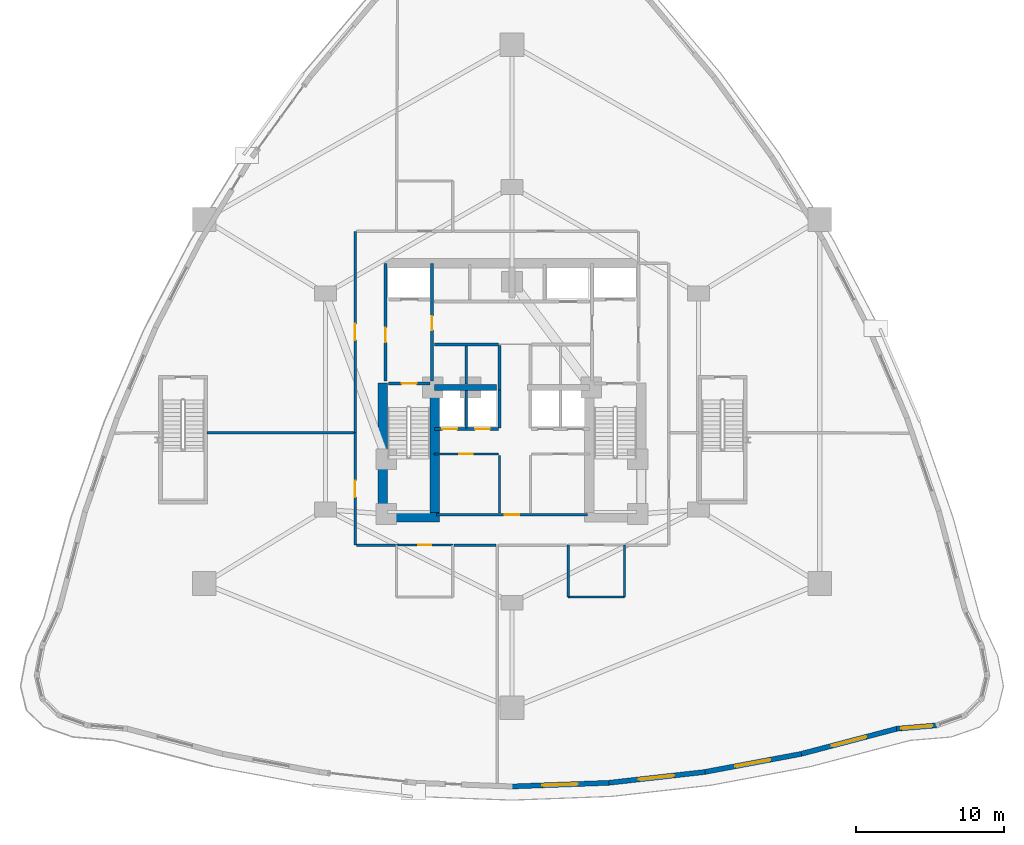
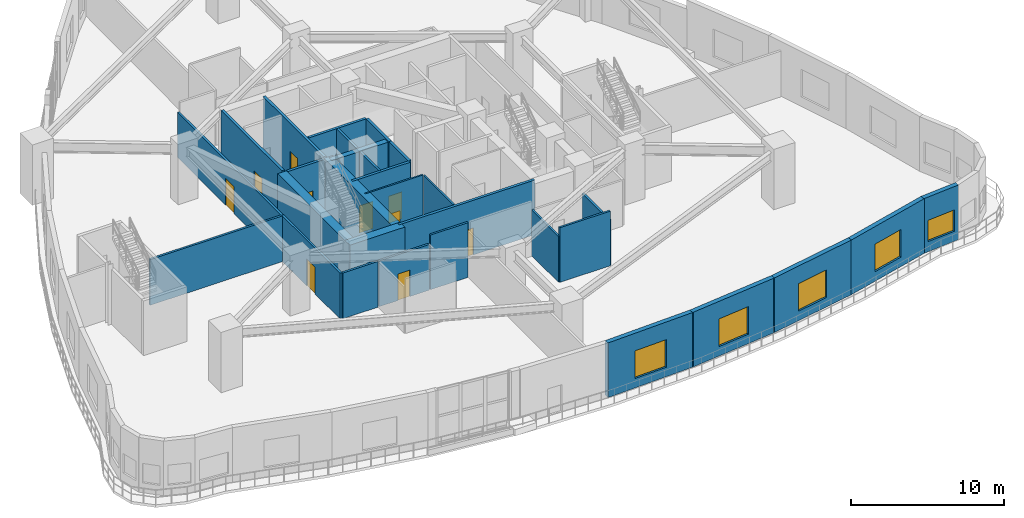
# One storey, part 12 of 19: 30 walls, 10 doors, 5 windows, 15 openings.
"""IFC4 building model written with IfcOpenShell, lengths in metres."""

import ifcopenshell
import ifcopenshell.guid

model = None  # the IFC model being written
_history = None  # IfcOwnerHistory: only IFC2X3 demands one
_inside = {}  # id of a spatial element -> (the spatial element, [elements in it])
_under = {}  # id of a project, library or spatial element -> (it, [spatial elements below it])
_declared = {}  # id of a project -> (the project, [libraries it declares])
_typed = {}  # id of a type object -> (the type object, [elements of that type])
_made_of = {}  # id of a material, layer set ... -> (it, [elements and type objects made of it])


def new_model(schema):
    """Start an empty IFC model of exactly this schema.

    Asked for "IFC4X3", IfcOpenShell would pick the latest addendum, in which some entities
    have other attributes; the version numbers below select the first issue.
    IFC2X3 requires an IfcOwnerHistory on every rooted entity: one is made here for all.
    """
    global model, _history
    if schema == "IFC4X3":
        model = ifcopenshell.file(schema_version=(4, 3, 0, 0))
    else:
        model = ifcopenshell.file(schema=schema)
    _inside.clear()
    _under.clear()
    _declared.clear()
    _typed.clear()
    _made_of.clear()
    _history = None
    if model.schema == "IFC2X3":
        org = make("IfcOrganization", Name="unknown")
        user = make(
            "IfcPersonAndOrganization",
            ThePerson=make("IfcPerson", FamilyName="unknown"),
            TheOrganization=org,
        )
        app = make(
            "IfcApplication",
            ApplicationDeveloper=org,
            Version="unknown",
            ApplicationFullName="unknown",
            ApplicationIdentifier="unknown",
        )
        _history = make(
            "IfcOwnerHistory",
            OwningUser=user,
            OwningApplication=app,
            ChangeAction="ADDED",
            CreationDate=0,
        )
    return model


def make(cls, **values):
    """One entity of the class cls with the attributes given. An attribute that is None is left unset."""
    return model.create_entity(
        cls, **{name: value for name, value in values.items() if value is not None}
    )


def rooted(cls, **values):
    """An entity with a GlobalId (a new one), such as an element, a storey or a relation."""
    return make(cls, GlobalId=ifcopenshell.guid.new(), OwnerHistory=_history, **values)


def si_unit(unit_type, name, prefix=None):
    """IfcSIUnit, for example si_unit("LENGTHUNIT", "METRE", prefix="MILLI")."""
    return make("IfcSIUnit", UnitType=unit_type, Prefix=prefix, Name=name)


def assignment(units):
    """IfcUnitAssignment: the units of a project."""
    return None if units is None else make("IfcUnitAssignment", Units=units)


def point(xyz):
    """IfcCartesianPoint."""
    return None if xyz is None else make("IfcCartesianPoint", Coordinates=xyz)


def direction(xyz):
    """IfcDirection."""
    return None if xyz is None else make("IfcDirection", DirectionRatios=xyz)


def frame(location, z_axis=None, x_axis=None):
    """IfcAxis2Placement3D, a coordinate frame: its origin and axes. An axis left out is left unset."""
    return make(
        "IfcAxis2Placement3D",
        Location=point(location),
        Axis=direction(z_axis),
        RefDirection=direction(x_axis),
    )


def frame_2d(location, x_axis=None):
    """IfcAxis2Placement2D, a coordinate frame in the plane: its origin and x axis."""
    return make(
        "IfcAxis2Placement2D", Location=point(location), RefDirection=direction(x_axis)
    )


def origin():
    """The frame at (0, 0, 0) with its axes left unset."""
    return frame((0.0, 0.0, 0.0))


def place(relative_to, where):
    """IfcLocalPlacement: puts the frame where relative to a parent placement (None: the world)."""
    return make(
        "IfcLocalPlacement", PlacementRelTo=relative_to, RelativePlacement=where
    )


def context(
    kind, dimensions, precision=None, world=None, true_north=None, identifier=None
):
    """IfcGeometricRepresentationContext, for example the 3D "Model" context."""
    return make(
        "IfcGeometricRepresentationContext",
        ContextIdentifier=identifier,
        ContextType=kind,
        CoordinateSpaceDimension=dimensions,
        Precision=precision,
        WorldCoordinateSystem=world,
        TrueNorth=true_north,
    )


def subcontext(parent, identifier, kind, view, scale=None):
    """IfcGeometricRepresentationSubContext, for example "Body" below "Model"."""
    return make(
        "IfcGeometricRepresentationSubContext",
        ContextIdentifier=identifier,
        ContextType=kind,
        ParentContext=parent,
        TargetScale=scale,
        TargetView=view,
    )


def project(units=None, contexts=None):
    """IfcProject with its units and contexts."""
    return rooted(
        "IfcProject",
        Name="project",
        RepresentationContexts=contexts,
        UnitsInContext=assignment(units),
    )


def spatial(cls, under=None, at=None, **own):
    """A site, building, storey or space (cls), placed at a placement, below another one or the project."""
    s = rooted(cls, ObjectPlacement=at, **own)
    if under is not None:
        _under.setdefault(under.id(), (under, []))[1].append(s)
    return s


def profile(cls, at=None, kind="AREA", **sizes):
    """A parametric profile (cls). Its sizes go by their IFC names, for example OverallWidth=200.0."""
    return make(cls, ProfileType=kind, Position=at, **sizes)


def rectangle(**sizes):
    """IfcRectangleProfileDef."""
    return profile("IfcRectangleProfileDef", **sizes)


def extrude(swept, where, along, depth):
    """IfcExtrudedAreaSolid: the profile swept, set in the frame where, extruded along a direction by depth."""
    return make(
        "IfcExtrudedAreaSolid",
        SweptArea=swept,
        Position=where,
        ExtrudedDirection=direction(along),
        Depth=depth,
    )


def shape(context_of_items, identifier, shape_type, items):
    """IfcShapeRepresentation: the items that make up one representation, for example the "Body"."""
    return make(
        "IfcShapeRepresentation",
        ContextOfItems=context_of_items,
        RepresentationIdentifier=identifier,
        RepresentationType=shape_type,
        Items=items,
    )


def material(Name=None, Category=None):
    """IfcMaterial."""
    return make("IfcMaterial", Name=Name, Category=Category)


def layer(
    of_material, thickness, ventilated=None, Name=None, Category=None, Priority=None
):
    """IfcMaterialLayer: one layer of a wall or slab, of a material (None: an air gap)."""
    return make(
        "IfcMaterialLayer",
        Material=of_material,
        LayerThickness=thickness,
        IsVentilated=ventilated,
        Name=Name,
        Category=Category,
        Priority=Priority,
    )


def layer_set(layers, Name=None):
    """IfcMaterialLayerSet."""
    return make("IfcMaterialLayerSet", MaterialLayers=layers, LayerSetName=Name)


def made_of(thing, what):
    """Note that an element or type object is made of a material, layer set ...; save() writes the relation."""
    if what is not None:
        _made_of.setdefault(what.id(), (what, []))[1].append(thing)
    return thing


def type_object(cls, material=None, **own):
    """A type object (cls), such as IfcWallType, which elements share."""
    return made_of(rooted(cls, **own), material)


def element(
    cls,
    number,
    at=None,
    inside=None,
    cuts=None,
    type_object=None,
    material=None,
    context=None,
    identifier="Body",
    shape_type=None,
    held_by="IfcProductDefinitionShape",
    body=None,
    shapes=None,
    **own,
):
    """One element of the class cls, such as IfcWall. Its Tag is "e" and its number.

    at: its placement. inside: the storey or other place that contains it. cuts: it is an
    opening in that element (IfcRelVoidsElement). A single representation is given by context,
    identifier, shape_type and body (its items); several are given by shapes. held_by: the class
    of the entity that holds the representations. save() writes the other relations.
    """
    e = rooted(cls, Tag="e%d" % number, ObjectPlacement=at, **own)
    if body is not None:
        shapes = [shape(context, identifier, shape_type, body)]
    if shapes is not None:
        e.Representation = make(held_by, Representations=shapes)
    if inside is not None:
        _inside.setdefault(inside.id(), (inside, []))[1].append(e)
    if cuts is not None:
        rooted(
            "IfcRelVoidsElement", RelatingBuildingElement=cuts, RelatedOpeningElement=e
        )
    if type_object is not None:
        _typed.setdefault(type_object.id(), (type_object, []))[1].append(e)
    return made_of(e, material)


def fill(opening, filler):
    """IfcRelFillsElement: the door or window that sits in an opening."""
    return rooted(
        "IfcRelFillsElement",
        RelatingOpeningElement=opening,
        RelatedBuildingElement=filler,
    )


def aggregate(whole, parts):
    """IfcRelAggregates: a whole, such as a stair, and the parts it consists of."""
    return rooted("IfcRelAggregates", RelatingObject=whole, RelatedObjects=parts)


def save(model, path):
    """Write the relations noted so far, then the file.

    IfcRelAggregates (storeys below a building ...), IfcRelContainedInSpatialStructure (elements
    in a storey), IfcRelDefinesByType, IfcRelAssociatesMaterial and IfcRelDeclares: one each for
    every whole, place, type object, material and project.
    """
    for whole, parts in _under.values():
        aggregate(whole, parts)
    for where, things in _inside.values():
        rooted(
            "IfcRelContainedInSpatialStructure",
            RelatedElements=things,
            RelatingStructure=where,
        )
    for kind, things in _typed.values():
        rooted("IfcRelDefinesByType", RelatedObjects=things, RelatingType=kind)
    for what, things in _made_of.values():
        rooted("IfcRelAssociatesMaterial", RelatedObjects=things, RelatingMaterial=what)
    for by, libraries in _declared.values():
        rooted("IfcRelDeclares", RelatingContext=by, RelatedDefinitions=libraries)
    model.write(path)


model = new_model("IFC4")

# Units and contexts
model_context = context("Model", 3, precision=1e-05, world=origin(), true_north=direction((0.0, 1.0)))
body_context = subcontext(model_context, "Body", "Model", "MODEL_VIEW")
ifc_project = project(units=[si_unit("LENGTHUNIT", "METRE"), si_unit("AREAUNIT", "SQUARE_METRE"), si_unit("VOLUMEUNIT", "CUBIC_METRE"), si_unit("PLANEANGLEUNIT", "RADIAN"), si_unit("MASSUNIT", "GRAM", prefix="KILO")], contexts=[model_context])

# Site, building, storey
site_placement = place(None, origin())
site = spatial("IfcSite", under=ifc_project, at=site_placement, CompositionType="ELEMENT")
building_placement = place(site_placement, origin())
building = spatial("IfcBuilding", under=site, at=building_placement, Name="Miruveldt Soraemaru", CompositionType="ELEMENT")
storey_placement = place(building_placement, frame((0.0, 0.0, 19.199951171875)))
storey = spatial("IfcBuildingStorey", under=building, at=storey_placement, Name="L05", CompositionType="ELEMENT", Elevation=19.199951171875)

# Walls
ifc_material_1 = material(Name="Concrete C70/85 (70 MPa)", Category="concrete")
ifc_layer_1 = layer(ifc_material_1, 0.5, Name="Concrete C70/85 (70 MPa)", Category="concrete")
ifc_layer_set_1 = layer_set([ifc_layer_1], Name="Concrete C70/85 (70 MPa)")
wall_type_1 = type_object("IfcWallType", Name="WALL-BW-500", PredefinedType="SHEAR", material=ifc_layer_set_1)
wall_1_placement = place(storey_placement, frame((38.75, 44.050048828125, 0.0), z_axis=(0.0, 0.0, 1.0), x_axis=(1.0, 0.0, 0.0)))
element("IfcWall", 1, at=wall_1_placement, inside=storey, type_object=wall_type_1, Name="L05 Core Buttress Shear Wall BW", PredefinedType="SHEAR", context=body_context, shape_type="SweptSolid", body=[
    extrude(rectangle(XDim=4.199951171875, YDim=0.39990234375, at=frame_2d((2.10009765625, 0.0))), origin(), (0.0, 0.0, 1.0), 4.35009765625),
])
ifc_material_2 = material(Name="Concrete C80/95 (80 MPa)", Category="concrete")
ifc_layer_2 = layer(ifc_material_2, 0.64990234375, Name="Concrete C80/95 (80 MPa)", Category="concrete")
ifc_layer_set_2 = layer_set([ifc_layer_2], Name="Concrete C80/95 (80 MPa)")
wall_type_2 = type_object("IfcWallType", Name="WALL-CW-650", PredefinedType="SHEAR", material=ifc_layer_set_2)
wall_2_placement = place(storey_placement, frame((34.949951171875, 35.27490234375, 0.0), z_axis=(0.0, 0.0, 1.0), x_axis=(1.0, 0.0, 0.0)))
element("IfcWall", 2, at=wall_2_placement, inside=storey, type_object=wall_type_2, Name="L05 Central Core Shear Wall S1", PredefinedType="SHEAR", context=body_context, shape_type="SweptSolid", body=[
    extrude(rectangle(XDim=4.150146484375, YDim=0.64990234375, at=frame_2d((2.0751953125, 0.0))), origin(), (0.0, 0.0, 1.0), 4.35009765625),
])
wall_3_placement = place(storey_placement, frame((35.27490234375, 34.949951171875, 0.0), z_axis=(0.0, 0.0, 1.0), x_axis=(0.0, 1.0, 0.0)))
element("IfcWall", 3, at=wall_3_placement, inside=storey, type_object=wall_type_2, Name="L05 Central Core Shear Wall W1", PredefinedType="SHEAR", context=body_context, shape_type="SweptSolid", body=[
    extrude(rectangle(XDim=9.400146484375, YDim=0.64990234375, at=frame_2d((4.7001953125, 0.0))), origin(), (0.0, 0.0, 1.0), 4.35009765625),
])
wall_4_placement = place(storey_placement, frame((38.77490234375, 35.39990234375, 0.0), z_axis=(0.0, 0.0, 1.0), x_axis=(0.0, 1.0, 0.0)))
element("IfcWall", 4, at=wall_4_placement, inside=storey, type_object=wall_type_2, Name="L05 Central Core Shear Wall SW-INT", PredefinedType="SHEAR", context=body_context, shape_type="SweptSolid", body=[
    extrude(rectangle(XDim=8.9501953125, YDim=0.64990234375, at=frame_2d((4.47509765625, 0.0))), origin(), (0.0, 0.0, 1.0), 4.35009765625),
])

# Wall, opening, window
ifc_material_3 = material(Name="Precast concrete C45/55 (45 MPa)", Category="concrete")
ifc_layer_3 = layer(ifc_material_3, 0.340087890625, Name="Precast concrete C45/55 (45 MPa)", Category="concrete")
ifc_layer_set_3 = layer_set([ifc_layer_3], Name="Precast concrete C45/55 (45 MPa)")
wall_type_3 = type_object("IfcWallType", Name="WALL-EXT-PC340", PredefinedType="SOLIDWALL", material=ifc_layer_set_3)
wall_5_placement = place(storey_placement, frame((43.965087890625, 17.08984375, 0.0), z_axis=(0.0, 0.0, 1.0), x_axis=(0.999297442003, 0.037478292478, 0.0)))
wall_5 = element("IfcWall", 5, at=wall_5_placement, inside=storey, type_object=wall_type_3, Name="L05 Precast Concrete Facade Wall 25", PredefinedType="SOLIDWALL", context=body_context, shape_type="SweptSolid", body=[
    extrude(rectangle(XDim=6.579345703125, YDim=0.340087890625, at=frame_2d((3.28955078125, 0.0))), origin(), (0.0, 0.0, 1.0), 4.35009765625),
])
opening_1_placement = place(wall_5_placement, frame((2.090087890625, 0.0, 0.75)))
opening_1 = element("IfcOpeningElement", 6, at=opening_1_placement, cuts=wall_5, Name="Opening WN-5", PredefinedType="OPENING", context=body_context, shape_type="SweptSolid", body=[
    extrude(rectangle(XDim=2.39990234375, YDim=2.199951171875, at=frame_2d((1.199951171875, 1.10009765625))), frame((0.0, 0.18017578125, 0.0), z_axis=(0.0, -1.0, 0.0), x_axis=(1.0, 0.0, 0.0)), (0.0, 0.0, 1.0), 0.360107421875),
])
ifc_material_4 = material(Name="Triple low-e insulated glazing", Category="glass")
window_type_1 = type_object("IfcWindowType", Name="WIN-PODM-2400x2200", PartitioningType="SINGLE_PANEL", PredefinedType="WINDOW", material=ifc_material_4)
window_1_placement = place(opening_1_placement, origin())
window_1 = element("IfcWindow", 7, at=window_1_placement, inside=storey, type_object=window_type_1, Name="L05 Punched Triple-Glazed Window 25.1", OverallHeight=2.199951171875, OverallWidth=2.39990234375, PartitioningType="SINGLE_PANEL", PredefinedType="WINDOW", context=body_context, shape_type="SweptSolid", body=[
    extrude(rectangle(XDim=2.39990234375, YDim=2.199951171875, at=frame_2d((1.199951171875, 1.10009765625))), frame((0.0, 0.030029296875, 0.0), z_axis=(0.0, -1.0, 0.0), x_axis=(1.0, 0.0, 0.0)), (0.0, 0.0, 1.0), 0.06005859375),
])
fill(opening_1, window_1)

wall_6_placement = place(storey_placement, frame((50.469970703125, 17.331298828125, 0.0), z_axis=(0.0, 0.0, 1.0), x_axis=(0.993732955947, 0.111780196211, 0.0)))
wall_6 = element("IfcWall", 8, at=wall_6_placement, inside=storey, type_object=wall_type_3, Name="L05 Precast Concrete Facade Wall 26", PredefinedType="SOLIDWALL", context=body_context, shape_type="SweptSolid", body=[
    extrude(rectangle(XDim=6.61572265625, YDim=0.340087890625, at=frame_2d((3.307861328125, 0.0))), origin(), (0.0, 0.0, 1.0), 4.35009765625),
])
opening_2_placement = place(wall_6_placement, frame((2.10791015625, 0.0, 0.75)))
opening_2 = element("IfcOpeningElement", 9, at=opening_2_placement, cuts=wall_6, Name="Opening WN-5", PredefinedType="OPENING", context=body_context, shape_type="SweptSolid", body=[
    extrude(rectangle(XDim=2.39990234375, YDim=2.199951171875, at=frame_2d((1.199951171875, 1.10009765625))), frame((0.0, 0.18017578125, 0.0), z_axis=(0.0, -1.0, 0.0), x_axis=(1.0, 0.0, 0.0)), (0.0, 0.0, 1.0), 0.360107421875),
])
window_2_placement = place(opening_2_placement, origin())
window_2 = element("IfcWindow", 10, at=window_2_placement, inside=storey, type_object=window_type_1, Name="L05 Punched Triple-Glazed Window 26.1", OverallHeight=2.199951171875, OverallWidth=2.39990234375, PartitioningType="SINGLE_PANEL", PredefinedType="WINDOW", context=body_context, shape_type="SweptSolid", body=[
    extrude(rectangle(XDim=2.39990234375, YDim=2.199951171875, at=frame_2d((1.199951171875, 1.10009765625))), frame((0.0, 0.030029296875, 0.0), z_axis=(0.0, -1.0, 0.0), x_axis=(1.0, 0.0, 0.0)), (0.0, 0.0, 1.0), 0.06005859375),
])
fill(opening_2, window_2)

wall_7_placement = place(storey_placement, frame((56.97509765625, 18.060546875, 0.0), z_axis=(0.0, 0.0, 1.0), x_axis=(0.982875079597, 0.184273106845, 0.0)))
wall_7 = element("IfcWall", 11, at=wall_7_placement, inside=storey, type_object=wall_type_3, Name="L05 Precast Concrete Facade Wall 27", PredefinedType="SOLIDWALL", context=body_context, shape_type="SweptSolid", body=[
    extrude(rectangle(XDim=6.68798828125, YDim=0.340087890625, at=frame_2d((3.343994140625, 0.0))), origin(), (0.0, 0.0, 1.0), 4.35009765625),
])
opening_3_placement = place(wall_7_placement, frame((2.14404296875, 0.0, 0.75)))
opening_3 = element("IfcOpeningElement", 12, at=opening_3_placement, cuts=wall_7, Name="Opening WN-5", PredefinedType="OPENING", context=body_context, shape_type="SweptSolid", body=[
    extrude(rectangle(XDim=2.39990234375, YDim=2.199951171875, at=frame_2d((1.199951171875, 1.10009765625))), frame((0.0, 0.18017578125, 0.0), z_axis=(0.0, -1.0, 0.0), x_axis=(1.0, 0.0, 0.0)), (0.0, 0.0, 1.0), 0.360107421875),
])
window_3_placement = place(opening_3_placement, origin())
window_3 = element("IfcWindow", 13, at=window_3_placement, inside=storey, type_object=window_type_1, Name="L05 Punched Triple-Glazed Window 27.1", OverallHeight=2.199951171875, OverallWidth=2.39990234375, PartitioningType="SINGLE_PANEL", PredefinedType="WINDOW", context=body_context, shape_type="SweptSolid", body=[
    extrude(rectangle(XDim=2.39990234375, YDim=2.199951171875, at=frame_2d((1.199951171875, 1.10009765625))), frame((0.0, 0.030029296875, 0.0), z_axis=(0.0, -1.0, 0.0), x_axis=(1.0, 0.0, 0.0)), (0.0, 0.0, 1.0), 0.06005859375),
])
fill(opening_3, window_3)

wall_8_placement = place(storey_placement, frame((63.480224609375, 19.277587890625, 0.0), z_axis=(0.0, 0.0, 1.0), x_axis=(0.967228869829, 0.253906111329, 0.0)))
wall_8 = element("IfcWall", 14, at=wall_8_placement, inside=storey, type_object=wall_type_3, Name="L05 Precast Concrete Facade Wall 28", PredefinedType="SOLIDWALL", context=body_context, shape_type="SweptSolid", body=[
    extrude(rectangle(XDim=6.795166015625, YDim=0.340087890625, at=frame_2d((3.3974609375, 0.0))), origin(), (0.0, 0.0, 1.0), 4.35009765625),
])
opening_4_placement = place(wall_8_placement, frame((2.197021484375, 0.0, 0.75)))
opening_4 = element("IfcOpeningElement", 15, at=opening_4_placement, cuts=wall_8, Name="Opening WN-5", PredefinedType="OPENING", context=body_context, shape_type="SweptSolid", body=[
    extrude(rectangle(XDim=2.39990234375, YDim=2.199951171875, at=frame_2d((1.199951171875, 1.10009765625))), frame((0.0, 0.18017578125, 0.0), z_axis=(0.0, -1.0, 0.0), x_axis=(1.0, 0.0, 0.0)), (0.0, 0.0, 1.0), 0.360107421875),
])
window_4_placement = place(opening_4_placement, origin())
window_4 = element("IfcWindow", 16, at=window_4_placement, inside=storey, type_object=window_type_1, Name="L05 Punched Triple-Glazed Window 28.1", OverallHeight=2.199951171875, OverallWidth=2.39990234375, PartitioningType="SINGLE_PANEL", PredefinedType="WINDOW", context=body_context, shape_type="SweptSolid", body=[
    extrude(rectangle(XDim=2.39990234375, YDim=2.199951171875, at=frame_2d((1.199951171875, 1.10009765625))), frame((0.0, 0.030029296875, 0.0), z_axis=(0.0, -1.0, 0.0), x_axis=(1.0, 0.0, 0.0)), (0.0, 0.0, 1.0), 0.06005859375),
])
fill(opening_4, window_4)

wall_9_placement = place(storey_placement, frame((69.98388671875, 20.9912109375, 0.0), z_axis=(0.0, 0.0, 1.0), x_axis=(0.996486644337, 0.083751821821, 0.0)))
wall_9 = element("IfcWall", 17, at=wall_9_placement, inside=storey, type_object=wall_type_3, Name="L05 Precast Concrete Facade Wall 29", PredefinedType="SOLIDWALL", context=body_context, shape_type="SweptSolid", body=[
    extrude(rectangle(XDim=2.74609375, YDim=0.340087890625, at=frame_2d((1.373046875, 0.0))), origin(), (0.0, 0.0, 1.0), 4.35009765625),
])
opening_5_placement = place(wall_9_placement, frame((0.322998046875, 0.0, 0.800048828125)))
opening_5 = element("IfcOpeningElement", 18, at=opening_5_placement, cuts=wall_9, Name="Opening WN-1", PredefinedType="OPENING", context=body_context, shape_type="SweptSolid", body=[
    extrude(rectangle(XDim=2.10009765625, YDim=1.699951171875, at=frame_2d((1.050048828125, 0.85009765625))), frame((0.0, 0.18017578125, 0.0), z_axis=(0.0, -1.0, 0.0), x_axis=(1.0, 0.0, 0.0)), (0.0, 0.0, 1.0), 0.360107421875),
])
window_type_2 = type_object("IfcWindowType", Name="WIN-PUNCH-2100x1700", PartitioningType="SINGLE_PANEL", PredefinedType="WINDOW", material=ifc_material_4)
window_5_placement = place(opening_5_placement, origin())
window_5 = element("IfcWindow", 19, at=window_5_placement, inside=storey, type_object=window_type_2, Name="L05 Punched Triple-Glazed Window 29.1", OverallHeight=1.699951171875, OverallWidth=2.10009765625, PartitioningType="SINGLE_PANEL", PredefinedType="WINDOW", context=body_context, shape_type="SweptSolid", body=[
    extrude(rectangle(XDim=2.10009765625, YDim=1.699951171875, at=frame_2d((1.050048828125, 0.85009765625))), frame((0.0, 0.030029296875, 0.0), z_axis=(0.0, -1.0, 0.0), x_axis=(1.0, 0.0, 0.0)), (0.0, 0.0, 1.0), 0.06005859375),
])
fill(opening_5, window_5)

# Wall, opening, door
ifc_material_5 = material(Name="Gypsum plasterboard lining", Category="gypsum")
ifc_layer_4 = layer(ifc_material_5, 0.1201171875, Name="Gypsum plasterboard lining", Category="gypsum")
ifc_layer_set_4 = layer_set([ifc_layer_4], Name="Gypsum plasterboard lining")
wall_type_4 = type_object("IfcWallType", Name="WALL-INT-P120", PredefinedType="PARTITIONING", material=ifc_layer_set_4)
wall_10_placement = place(storey_placement, frame((38.75, 39.550048828125, 0.0), z_axis=(0.0, 0.0, 1.0), x_axis=(1.0, 0.0, 0.0)))
wall_10 = element("IfcWall", 20, at=wall_10_placement, inside=storey, type_object=wall_type_4, Name="L05 Core Compartment Wall CSW-N", PredefinedType="PARTITIONING", context=body_context, shape_type="SweptSolid", body=[
    extrude(rectangle(XDim=4.330078125, YDim=0.1201171875, at=frame_2d((2.1650390625, 0.0))), origin(), (0.0, 0.0, 1.0), 4.35009765625),
])
opening_6_placement = place(wall_10_placement, frame((1.68994140625, 0.0, 0.0)))
opening_6 = element("IfcOpeningElement", 21, at=opening_6_placement, cuts=wall_10, Name="Opening D3A", PredefinedType="OPENING", context=body_context, shape_type="SweptSolid", body=[
    extrude(rectangle(XDim=0.919921875, YDim=2.10009765625, at=frame_2d((0.4599609375, 1.050048828125))), frame((0.0, 0.070068359375, 0.0), z_axis=(0.0, -1.0, 0.0), x_axis=(1.0, 0.0, 0.0)), (0.0, 0.0, 1.0), 0.14013671875),
])
ifc_material_6 = material(Name="Anodised aluminium EN AW-6063 T6", Category="aluminium")
door_type_1 = type_object("IfcDoorType", Name="DOOR-INT-920", OperationType="NOTDEFINED", PredefinedType="DOOR", material=ifc_material_6)
door_1_placement = place(opening_6_placement, origin())
door_1 = element("IfcDoor", 22, at=door_1_placement, inside=storey, type_object=door_type_1, Name="L05 Fire Door", OperationType="SINGLE_SWING_LEFT", OverallHeight=2.10009765625, OverallWidth=0.919921875, PredefinedType="DOOR", context=body_context, shape_type="SweptSolid", body=[
    extrude(rectangle(XDim=0.919921875, YDim=2.10009765625, at=frame_2d((0.4599609375, 1.050048828125))), frame((0.0, 0.02490234375, 0.0), z_axis=(0.0, -1.0, 0.0), x_axis=(1.0, 0.0, 0.0)), (0.0, 0.0, 1.0), 0.050048828125),
])
fill(opening_6, door_1)

# Wall
wall_11_placement = place(storey_placement, frame((43.14990234375, 35.580078125, 0.0), z_axis=(0.0, 0.0, 1.0), x_axis=(0.0, 1.0, 0.0)))
element("IfcWall", 23, at=wall_11_placement, inside=storey, type_object=wall_type_4, Name="L05 Core Compartment Wall SP-WS", PredefinedType="PARTITIONING", context=body_context, shape_type="SweptSolid", body=[
    extrude(rectangle(XDim=3.869873046875, YDim=0.1201171875, at=frame_2d((1.93505859375, 0.0))), origin(), (0.0, 0.0, 1.0), 4.35009765625),
])

# Wall, opening, door
ifc_layer_5 = layer(ifc_material_5, 0.14990234375, Name="Gypsum plasterboard lining", Category="gypsum")
ifc_layer_set_5 = layer_set([ifc_layer_5], Name="Gypsum plasterboard lining")
wall_type_5 = type_object("IfcWallType", Name="WALL-INT-PLUMB", PredefinedType="PLUMBINGWALL", material=ifc_layer_set_5)
wall_12_placement = place(storey_placement, frame((36.199951171875, 33.39990234375, 0.0), z_axis=(0.0, 0.0, 1.0), x_axis=(1.0, 0.0, 0.0)))
wall_12 = element("IfcWall", 24, at=wall_12_placement, inside=storey, type_object=wall_type_5, Name="L05 Partition Wall 2", PredefinedType="PLUMBINGWALL", context=body_context, shape_type="SweptSolid", body=[
    extrude(rectangle(XDim=3.800048828125, YDim=0.14990234375, at=frame_2d((1.89990234375, 0.0))), origin(), (0.0, 0.0, 1.0), 3.637939453125),
])
opening_7_placement = place(wall_12_placement, frame((1.449951171875, 0.0, 0.0)))
opening_7 = element("IfcOpeningElement", 25, at=opening_7_placement, cuts=wall_12, Name="Opening D3", PredefinedType="OPENING", context=body_context, shape_type="SweptSolid", body=[
    extrude(rectangle(XDim=0.89990234375, YDim=2.10009765625, at=frame_2d((0.449951171875, 1.050048828125))), frame((0.0, 0.0849609375, 0.0), z_axis=(0.0, -1.0, 0.0), x_axis=(1.0, 0.0, 0.0)), (0.0, 0.0, 1.0), 0.169921875),
])
door_type_2 = type_object("IfcDoorType", Name="DOOR-INT-900", OperationType="NOTDEFINED", PredefinedType="DOOR", material=ifc_material_6)
door_2_placement = place(opening_7_placement, origin())
door_2 = element("IfcDoor", 26, at=door_2_placement, inside=storey, type_object=door_type_2, Name="L05 Public Female Restroom Door", OperationType="SINGLE_SWING_RIGHT", OverallHeight=2.10009765625, OverallWidth=0.89990234375, PredefinedType="DOOR", context=body_context, shape_type="SweptSolid", body=[
    extrude(rectangle(XDim=0.89990234375, YDim=2.10009765625, at=frame_2d((0.449951171875, 1.050048828125))), frame((0.0, 0.02490234375, 0.0), z_axis=(0.0, -1.0, 0.0), x_axis=(1.0, 0.0, 0.0)), (0.0, 0.0, 1.0), 0.050048828125),
])
fill(opening_7, door_2)

# Walls
wall_13_placement = place(storey_placement, frame((47.800048828125, 29.89990234375, 0.0), z_axis=(0.0, 0.0, 1.0), x_axis=(1.0, 0.0, 0.0)))
element("IfcWall", 27, at=wall_13_placement, inside=storey, type_object=wall_type_5, Name="L05 Partition Wall 23", PredefinedType="PLUMBINGWALL", context=body_context, shape_type="SweptSolid", body=[
    extrude(rectangle(XDim=3.800048828125, YDim=0.14990234375, at=frame_2d((1.89990234375, 0.0))), origin(), (0.0, 0.0, 1.0), 4.35009765625),
])
for number, where, z_axis, x_axis, name in (
    (28, (47.800048828125, 33.39990234375, 0.0), (0.0, 0.0, 1.0), (0.0, -1.0, 0.0), "L05 Partition Wall 22"),
    (29, (51.60009765625, 29.89990234375, 0.0), (0.0, 0.0, 1.0), (0.0, 1.0, 0.0), "L05 Partition Wall 24"),
):
    element("IfcWall", number, at=place(storey_placement, frame(where, z_axis=z_axis, x_axis=x_axis)), inside=storey, type_object=wall_type_5, Name=name, PredefinedType="PLUMBINGWALL", context=body_context, shape_type="SweptSolid", body=[
        extrude(rectangle(XDim=3.5, YDim=0.14990234375, at=frame_2d((1.75, 0.0))), origin(), (0.0, 0.0, 1.0), 3.637939453125),
    ])

# Wall, opening, door
ifc_material_7 = material(Name="Concrete C40/50 (40 MPa)", Category="concrete")
ifc_layer_6 = layer(ifc_material_7, 0.159912109375, Name="Concrete C40/50 (40 MPa)", Category="concrete")
ifc_layer_set_6 = layer_set([ifc_layer_6], Name="Concrete C40/50 (40 MPa)")
wall_type_6 = type_object("IfcWallType", Name="WALL-INT-RC160", PredefinedType="SOLIDWALL", material=ifc_layer_set_6)
wall_14_placement = place(storey_placement, frame((33.39990234375, 54.60009765625, 0.0), z_axis=(0.0, 0.0, 1.0), x_axis=(0.0, -1.0, 0.0)))
wall_14 = element("IfcWall", 30, at=wall_14_placement, inside=storey, type_object=wall_type_6, Name="L05 Partition Wall 11", PredefinedType="SOLIDWALL", context=body_context, shape_type="SweptSolid", body=[
    extrude(rectangle(XDim=13.60009765625, YDim=0.159912109375, at=frame_2d((6.800048828125, 0.0))), origin(), (0.0, 0.0, 1.0), 3.588134765625),
])
opening_8_placement = place(wall_14_placement, frame((6.25, 0.0, 0.0)))
opening_8 = element("IfcOpeningElement", 31, at=opening_8_placement, cuts=wall_14, Name="Opening FD1A", PredefinedType="OPENING", context=body_context, shape_type="SweptSolid", body=[
    extrude(rectangle(XDim=1.10009765625, YDim=2.14990234375, at=frame_2d((0.550048828125, 1.074951171875))), frame((0.0, 0.08984375, 0.0), z_axis=(0.0, -1.0, 0.0), x_axis=(1.0, 0.0, 0.0)), (0.0, 0.0, 1.0), 0.179931640625),
])
door_type_3 = type_object("IfcDoorType", Name="DOOR-FD1-1100", OperationType="NOTDEFINED", PredefinedType="DOOR", material=ifc_material_6)
door_3_placement = place(opening_8_placement, origin())
door_3 = element("IfcDoor", 32, at=door_3_placement, inside=storey, type_object=door_type_3, Name="L05 Yoga Studio West Entrance Door", OperationType="SINGLE_SWING_RIGHT", OverallHeight=2.14990234375, OverallWidth=1.10009765625, PredefinedType="DOOR", context=body_context, shape_type="SweptSolid", body=[
    extrude(rectangle(XDim=1.10009765625, YDim=2.14990234375, at=frame_2d((0.550048828125, 1.074951171875))), frame((0.0, 0.02490234375, 0.0), z_axis=(0.0, -1.0, 0.0), x_axis=(1.0, 0.0, 0.0)), (0.0, 0.0, 1.0), 0.050048828125),
])
fill(opening_8, door_3)

wall_15_placement = place(storey_placement, frame((33.39990234375, 41.0, 0.0), z_axis=(0.0, 0.0, 1.0), x_axis=(0.0, -1.0, 0.0)))
wall_15 = element("IfcWall", 33, at=wall_15_placement, inside=storey, type_object=wall_type_6, Name="L05 Partition Wall 4", PredefinedType="SOLIDWALL", context=body_context, shape_type="SweptSolid", body=[
    extrude(rectangle(XDim=7.60009765625, YDim=0.159912109375, at=frame_2d((3.800048828125, 0.0))), origin(), (0.0, 0.0, 1.0), 3.637939453125),
])
opening_9_placement = place(wall_15_placement, frame((3.25, 0.0, 0.0)))
opening_9 = element("IfcOpeningElement", 34, at=opening_9_placement, cuts=wall_15, Name="Opening FD1A", PredefinedType="OPENING", context=body_context, shape_type="SweptSolid", body=[
    extrude(rectangle(XDim=1.10009765625, YDim=2.14990234375, at=frame_2d((0.550048828125, 1.074951171875))), frame((0.0, 0.08984375, 0.0), z_axis=(0.0, -1.0, 0.0), x_axis=(1.0, 0.0, 0.0)), (0.0, 0.0, 1.0), 0.179931640625),
])
door_4_placement = place(opening_9_placement, origin())
door_4 = element("IfcDoor", 35, at=door_4_placement, inside=storey, type_object=door_type_3, Name="L05 Resident Fitness and Gymnasium Hall Entrance Door", OperationType="SINGLE_SWING_RIGHT", OverallHeight=2.14990234375, OverallWidth=1.10009765625, PredefinedType="DOOR", context=body_context, shape_type="SweptSolid", body=[
    extrude(rectangle(XDim=1.10009765625, YDim=2.14990234375, at=frame_2d((0.550048828125, 1.074951171875))), frame((0.0, 0.02490234375, 0.0), z_axis=(0.0, -1.0, 0.0), x_axis=(1.0, 0.0, 0.0)), (0.0, 0.0, 1.0), 0.050048828125),
])
fill(opening_9, door_4)

# Walls
wall_16_placement = place(storey_placement, frame((33.320068359375, 41.0, 0.0), z_axis=(0.0, 0.0, 1.0), x_axis=(-1.0, 0.0, 0.0)))
element("IfcWall", 36, at=wall_16_placement, inside=storey, type_object=wall_type_6, Name="L05 Partition Wall 26", PredefinedType="SOLIDWALL", context=body_context, shape_type="SweptSolid", body=[
    extrude(rectangle(XDim=9.940185546875, YDim=0.159912109375, at=frame_2d((4.97021484375, 0.0))), origin(), (0.0, 0.0, 1.0), 3.637939453125),
])
wall_17_placement = place(storey_placement, frame((40.080078125, 33.39990234375, 0.0), z_axis=(0.0, 0.0, 1.0), x_axis=(1.0, 0.0, 0.0)))
element("IfcWall", 37, at=wall_17_placement, inside=storey, type_object=wall_type_6, Name="L05 Partition Wall 6", PredefinedType="SOLIDWALL", context=body_context, shape_type="SweptSolid", body=[
    extrude(rectangle(XDim=2.83984375, YDim=0.159912109375, at=frame_2d((1.419921875, 0.0))), origin(), (0.0, 0.0, 1.0), 4.35009765625),
])
wall_18_placement = place(storey_placement, frame((33.47998046875, 33.39990234375, 0.0), z_axis=(0.0, 0.0, 1.0), x_axis=(1.0, 0.0, 0.0)))
element("IfcWall", 38, at=wall_18_placement, inside=storey, type_object=wall_type_6, Name="L05 Partition Wall 5", PredefinedType="SOLIDWALL", context=body_context, shape_type="SweptSolid", body=[
    extrude(rectangle(XDim=2.64013671875, YDim=0.159912109375, at=frame_2d((1.320068359375, 0.0))), origin(), (0.0, 0.0, 1.0), 3.637939453125),
])
wall_19_placement = place(storey_placement, frame((40.89990234375, 44.300048828125, 0.0), z_axis=(0.0, 0.0, 1.0), x_axis=(0.0, 1.0, 0.0)))
element("IfcWall", 39, at=wall_19_placement, inside=storey, type_object=wall_type_6, Name="L05 Core Compartment Wall PLM-DW", PredefinedType="SOLIDWALL", context=body_context, shape_type="SweptSolid", body=[
    extrude(rectangle(XDim=2.550048828125, YDim=0.159912109375, at=frame_2d((1.27490234375, 0.0))), origin(), (0.0, 0.0, 1.0), 4.35009765625),
])
wall_20_placement = place(storey_placement, frame((40.89990234375, 41.320068359375, 0.0), z_axis=(0.0, 0.0, 1.0), x_axis=(0.0, 1.0, 0.0)))
element("IfcWall", 40, at=wall_20_placement, inside=storey, type_object=wall_type_6, Name="L05 Core Compartment Wall PLL-DW", PredefinedType="SOLIDWALL", context=body_context, shape_type="SweptSolid", body=[
    extrude(rectangle(XDim=2.530029296875, YDim=0.159912109375, at=frame_2d((1.26513671875, 0.0))), origin(), (0.0, 0.0, 1.0), 4.35009765625),
])

# Wall, opening, door
ifc_layer_7 = layer(ifc_material_7, 0.199951171875, Name="Concrete C40/50 (40 MPa)", Category="concrete")
ifc_layer_set_7 = layer_set([ifc_layer_7], Name="Concrete C40/50 (40 MPa)")
wall_type_7 = type_object("IfcWallType", Name="WALL-INT-RC200", PredefinedType="SOLIDWALL", material=ifc_layer_set_7)
wall_21_placement = place(storey_placement, frame((38.89990234375, 35.449951171875, 0.0), z_axis=(0.0, 0.0, 1.0), x_axis=(1.0, 0.0, 0.0)))
wall_21 = element("IfcWall", 41, at=wall_21_placement, inside=storey, type_object=wall_type_7, Name="L05 Core Compartment Wall CS-S", PredefinedType="SOLIDWALL", context=body_context, shape_type="SweptSolid", body=[
    extrude(rectangle(XDim=10.2001953125, YDim=0.199951171875, at=frame_2d((5.10009765625, 0.0))), origin(), (0.0, 0.0, 1.0), 4.35009765625),
])
opening_10_placement = place(wall_21_placement, frame((4.60009765625, 0.0, 0.0)))
opening_10 = element("IfcOpeningElement", 42, at=opening_10_placement, cuts=wall_21, Name="Opening FD1", PredefinedType="OPENING", context=body_context, shape_type="SweptSolid", body=[
    extrude(rectangle(XDim=1.0, YDim=2.14990234375, at=frame_2d((0.5, 1.074951171875))), frame((0.0, 0.10986328125, 0.0), z_axis=(0.0, -1.0, 0.0), x_axis=(1.0, 0.0, 0.0)), (0.0, 0.0, 1.0), 0.219970703125),
])
door_type_4 = type_object("IfcDoorType", Name="DOOR-FD1-1000", OperationType="NOTDEFINED", PredefinedType="DOOR", material=ifc_material_6)
door_5_placement = place(opening_10_placement, origin())
door_5 = element("IfcDoor", 43, at=door_5_placement, inside=storey, type_object=door_type_4, Name="L05 Core South Lobby Fire Door", OperationType="SINGLE_SWING_LEFT", OverallHeight=2.14990234375, OverallWidth=1.0, PredefinedType="DOOR", context=body_context, shape_type="SweptSolid", body=[
    extrude(rectangle(XDim=1.0, YDim=2.14990234375, at=frame_2d((0.5, 1.074951171875))), frame((0.0, 0.02490234375, 0.0), z_axis=(0.0, -1.0, 0.0), x_axis=(1.0, 0.0, 0.0)), (0.0, 0.0, 1.0), 0.050048828125),
])
fill(opening_10, door_5)

wall_22_placement = place(storey_placement, frame((35.449951171875, 44.5, 0.0), z_axis=(0.0, 0.0, 1.0), x_axis=(0.0, 1.0, 0.0)))
wall_22 = element("IfcWall", 44, at=wall_22_placement, inside=storey, type_object=wall_type_7, Name="L05 Core Compartment Wall FFW-OUT", PredefinedType="SOLIDWALL", context=body_context, shape_type="SweptSolid", body=[
    extrude(rectangle(XDim=7.919921875, YDim=0.199951171875, at=frame_2d((3.9599609375, 0.0))), origin(), (0.0, 0.0, 1.0), 4.35009765625),
])
opening_11_placement = place(wall_22_placement, frame((2.60009765625, 0.0, 0.0)))
opening_11 = element("IfcOpeningElement", 45, at=opening_11_placement, cuts=wall_22, Name="Opening FD1", PredefinedType="OPENING", context=body_context, shape_type="SweptSolid", body=[
    extrude(rectangle(XDim=1.0, YDim=2.14990234375, at=frame_2d((0.5, 1.074951171875))), frame((0.0, 0.10986328125, 0.0), z_axis=(0.0, -1.0, 0.0), x_axis=(1.0, 0.0, 0.0)), (0.0, 0.0, 1.0), 0.219970703125),
])
door_6_placement = place(opening_11_placement, origin())
door_6 = element("IfcDoor", 46, at=door_6_placement, inside=storey, type_object=door_type_4, Name="L05 West Firefighting Lobby Exit Door", OperationType="SINGLE_SWING_LEFT", OverallHeight=2.14990234375, OverallWidth=1.0, PredefinedType="DOOR", context=body_context, shape_type="SweptSolid", body=[
    extrude(rectangle(XDim=1.0, YDim=2.14990234375, at=frame_2d((0.5, 1.074951171875))), frame((0.0, 0.02490234375, 0.0), z_axis=(0.0, -1.0, 0.0), x_axis=(1.0, 0.0, 0.0)), (0.0, 0.0, 1.0), 0.050048828125),
])
fill(opening_11, door_6)

wall_23_placement = place(storey_placement, frame((38.60009765625, 44.5, 0.0), z_axis=(0.0, 0.0, 1.0), x_axis=(0.0, 1.0, 0.0)))
wall_23 = element("IfcWall", 47, at=wall_23_placement, inside=storey, type_object=wall_type_7, Name="L05 Core Compartment Wall FFW-IN", PredefinedType="SOLIDWALL", context=body_context, shape_type="SweptSolid", body=[
    extrude(rectangle(XDim=7.919921875, YDim=0.199951171875, at=frame_2d((3.9599609375, 0.0))), origin(), (0.0, 0.0, 1.0), 4.35009765625),
])
opening_12_placement = place(wall_23_placement, frame((3.425048828125, 0.0, 0.0)))
opening_12 = element("IfcOpeningElement", 48, at=opening_12_placement, cuts=wall_23, Name="Opening FD2", PredefinedType="OPENING", context=body_context, shape_type="SweptSolid", body=[
    extrude(rectangle(XDim=0.949951171875, YDim=2.14990234375, at=frame_2d((0.47509765625, 1.074951171875))), frame((0.0, 0.10986328125, 0.0), z_axis=(0.0, -1.0, 0.0), x_axis=(1.0, 0.0, 0.0)), (0.0, 0.0, 1.0), 0.219970703125),
])
door_type_5 = type_object("IfcDoorType", Name="DOOR-FD2-950", OperationType="NOTDEFINED", PredefinedType="DOOR", material=ifc_material_6)
door_7_placement = place(opening_12_placement, frame((0.949951171875, 0.0, 0.0), z_axis=(0.0, 0.0, 1.0), x_axis=(-1.0, 0.0, 0.0)))
door_7 = element("IfcDoor", 49, at=door_7_placement, inside=storey, type_object=door_type_5, Name="L05 Lift Lobby to West Fire Lobby Door", OperationType="SINGLE_SWING_RIGHT", OverallHeight=2.14990234375, OverallWidth=0.949951171875, PredefinedType="DOOR", context=body_context, shape_type="SweptSolid", body=[
    extrude(rectangle(XDim=0.949951171875, YDim=2.14990234375, at=frame_2d((0.47509765625, 1.074951171875))), frame((0.0, 0.02490234375, 0.0), z_axis=(0.0, -1.0, 0.0), x_axis=(1.0, 0.0, 0.0)), (0.0, 0.0, 1.0), 0.050048828125),
])
fill(opening_12, door_7)

# Wall, openings, doors
wall_24_placement = place(storey_placement, frame((38.75, 41.25, 0.0), z_axis=(0.0, 0.0, 1.0), x_axis=(1.0, 0.0, 0.0)))
wall_24 = element("IfcWall", 50, at=wall_24_placement, inside=storey, type_object=wall_type_7, Name="L05 Core Compartment Wall LBW-S", PredefinedType="SOLIDWALL", context=body_context, shape_type="SweptSolid", body=[
    extrude(rectangle(XDim=4.330078125, YDim=0.199951171875, at=frame_2d((2.1650390625, 0.0))), origin(), (0.0, 0.0, 1.0), 4.35009765625),
])
opening_13_placement = place(wall_24_placement, frame((0.550048828125, 0.0, 0.0)))
opening_13 = element("IfcOpeningElement", 51, at=opening_13_placement, cuts=wall_24, Name="Opening LD1B", PredefinedType="OPENING", context=body_context, shape_type="SweptSolid", body=[
    extrude(rectangle(XDim=1.0, YDim=2.14990234375, at=frame_2d((0.5, 1.074951171875))), frame((0.0, 0.10986328125, 0.0), z_axis=(0.0, -1.0, 0.0), x_axis=(1.0, 0.0, 0.0)), (0.0, 0.0, 1.0), 0.219970703125),
])
opening_14_placement = place(wall_24_placement, frame((2.75, 0.0, 0.0)))
opening_14 = element("IfcOpeningElement", 52, at=opening_14_placement, cuts=wall_24, Name="Opening LD1B", PredefinedType="OPENING", context=body_context, shape_type="SweptSolid", body=[
    extrude(rectangle(XDim=1.0, YDim=2.14990234375, at=frame_2d((0.5, 1.074951171875))), frame((0.0, 0.10986328125, 0.0), z_axis=(0.0, -1.0, 0.0), x_axis=(1.0, 0.0, 0.0)), (0.0, 0.0, 1.0), 0.219970703125),
])
door_type_6 = type_object("IfcDoorType", Name="DOOR-LD1-1000", OperationType="SLIDING_TO_LEFT", PredefinedType="DOOR", material=ifc_material_6)
door_8_placement = place(opening_13_placement, frame((1.0, 0.0, 0.0), z_axis=(0.0, 0.0, 1.0), x_axis=(-1.0, 0.0, 0.0)))
door_8 = element("IfcDoor", 53, at=door_8_placement, inside=storey, type_object=door_type_6, Name="L05 PL-L1 Landing Door", OperationType="SLIDING_TO_LEFT", OverallHeight=2.14990234375, OverallWidth=1.0, PredefinedType="DOOR", context=body_context, shape_type="SweptSolid", body=[
    extrude(rectangle(XDim=1.0, YDim=2.14990234375, at=frame_2d((0.5, 1.074951171875))), frame((0.0, 0.02490234375, 0.0), z_axis=(0.0, -1.0, 0.0), x_axis=(1.0, 0.0, 0.0)), (0.0, 0.0, 1.0), 0.050048828125),
])
fill(opening_13, door_8)
door_9_placement = place(opening_14_placement, frame((1.0, 0.0, 0.0), z_axis=(0.0, 0.0, 1.0), x_axis=(-1.0, 0.0, 0.0)))
door_9 = element("IfcDoor", 54, at=door_9_placement, inside=storey, type_object=door_type_6, Name="L05 PL-L2 Landing Door", OperationType="SLIDING_TO_LEFT", OverallHeight=2.14990234375, OverallWidth=1.0, PredefinedType="DOOR", context=body_context, shape_type="SweptSolid", body=[
    extrude(rectangle(XDim=1.0, YDim=2.14990234375, at=frame_2d((0.5, 1.074951171875))), frame((0.0, 0.02490234375, 0.0), z_axis=(0.0, -1.0, 0.0), x_axis=(1.0, 0.0, 0.0)), (0.0, 0.0, 1.0), 0.050048828125),
])
fill(opening_14, door_9)

# Wall, opening, door
wall_25_placement = place(storey_placement, frame((35.64990234375, 44.320068359375, 0.0), z_axis=(0.0, 0.0, 1.0), x_axis=(1.0, 0.0, 0.0)))
wall_25 = element("IfcWall", 55, at=wall_25_placement, inside=storey, type_object=wall_type_7, Name="L05 Core Compartment Wall ST1-N", PredefinedType="SOLIDWALL", context=body_context, shape_type="SweptSolid", body=[
    extrude(rectangle(XDim=2.800048828125, YDim=0.199951171875, at=frame_2d((1.39990234375, 0.0))), origin(), (0.0, 0.0, 1.0), 4.35009765625),
])
opening_15_placement = place(wall_25_placement, frame((0.89990234375, 0.0, 0.0)))
opening_15 = element("IfcOpeningElement", 56, at=opening_15_placement, cuts=wall_25, Name="Opening FD1", PredefinedType="OPENING", context=body_context, shape_type="SweptSolid", body=[
    extrude(rectangle(XDim=1.0, YDim=2.14990234375, at=frame_2d((0.5, 1.074951171875))), frame((0.0, 0.10986328125, 0.0), z_axis=(0.0, -1.0, 0.0), x_axis=(1.0, 0.0, 0.0)), (0.0, 0.0, 1.0), 0.219970703125),
])
door_10_placement = place(opening_15_placement, frame((1.0, 0.0, 0.0), z_axis=(0.0, 0.0, 1.0), x_axis=(-1.0, 0.0, 0.0)))
door_10 = element("IfcDoor", 57, at=door_10_placement, inside=storey, type_object=door_type_4, Name="L05 Stair ST-1 Fire Door", OperationType="SINGLE_SWING_LEFT", OverallHeight=2.14990234375, OverallWidth=1.0, PredefinedType="DOOR", context=body_context, shape_type="SweptSolid", body=[
    extrude(rectangle(XDim=1.0, YDim=2.14990234375, at=frame_2d((0.5, 1.074951171875))), frame((0.0, 0.02490234375, 0.0), z_axis=(0.0, -1.0, 0.0), x_axis=(1.0, 0.0, 0.0)), (0.0, 0.0, 1.0), 0.050048828125),
])
fill(opening_15, door_10)

# Walls
wall_26_placement = place(storey_placement, frame((38.75, 46.949951171875, 0.0), z_axis=(0.0, 0.0, 1.0), x_axis=(1.0, 0.0, 0.0)))
element("IfcWall", 58, at=wall_26_placement, inside=storey, type_object=wall_type_7, Name="L05 Core Compartment Wall MBW-N", PredefinedType="SOLIDWALL", context=body_context, shape_type="SweptSolid", body=[
    extrude(rectangle(XDim=4.330078125, YDim=0.199951171875, at=frame_2d((2.1650390625, 0.0))), origin(), (0.0, 0.0, 1.0), 4.35009765625),
])
wall_27_placement = place(storey_placement, frame((43.14990234375, 43.8798828125, 0.0), z_axis=(0.0, 0.0, 1.0), x_axis=(0.0, 1.0, 0.0)))
element("IfcWall", 59, at=wall_27_placement, inside=storey, type_object=wall_type_7, Name="L05 Core Compartment Wall SP-WB", PredefinedType="SOLIDWALL", context=body_context, shape_type="SweptSolid", body=[
    extrude(rectangle(XDim=3.0, YDim=0.199951171875, at=frame_2d((1.5, 0.0))), origin(), (0.0, 0.0, 1.0), 4.35009765625),
])
wall_28_placement = place(storey_placement, frame((43.14990234375, 41.320068359375, 0.0), z_axis=(0.0, 0.0, 1.0), x_axis=(0.0, 1.0, 0.0)))
element("IfcWall", 60, at=wall_28_placement, inside=storey, type_object=wall_type_7, Name="L05 Core Compartment Wall SP-WC", PredefinedType="SOLIDWALL", context=body_context, shape_type="SweptSolid", body=[
    extrude(rectangle(XDim=2.559814453125, YDim=0.199951171875, at=frame_2d((1.27978515625, 0.0))), origin(), (0.0, 0.0, 1.0), 4.35009765625),
])

save(model, "model.ifc")
